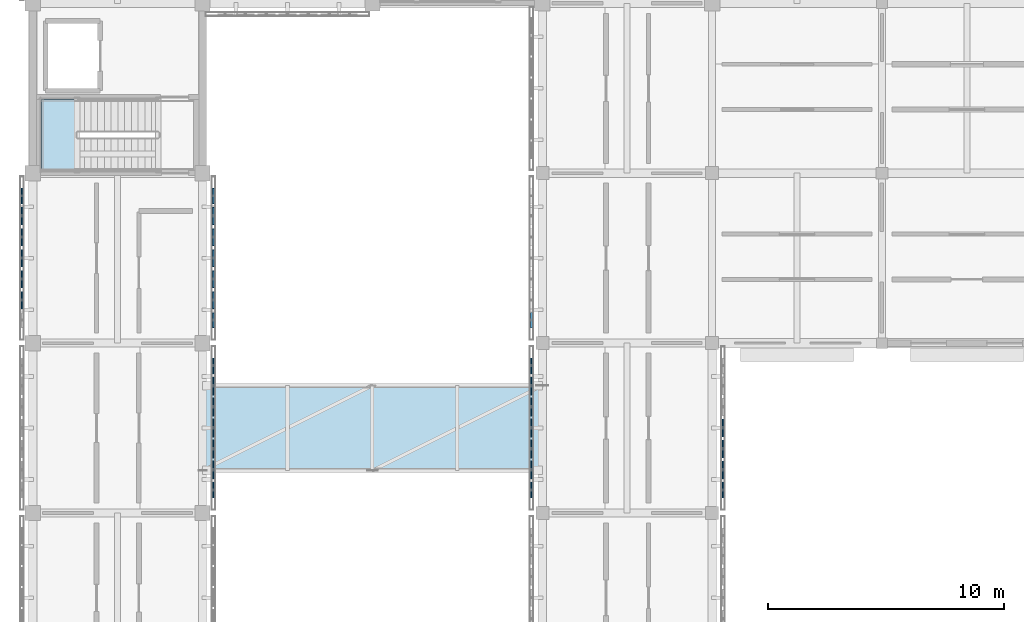
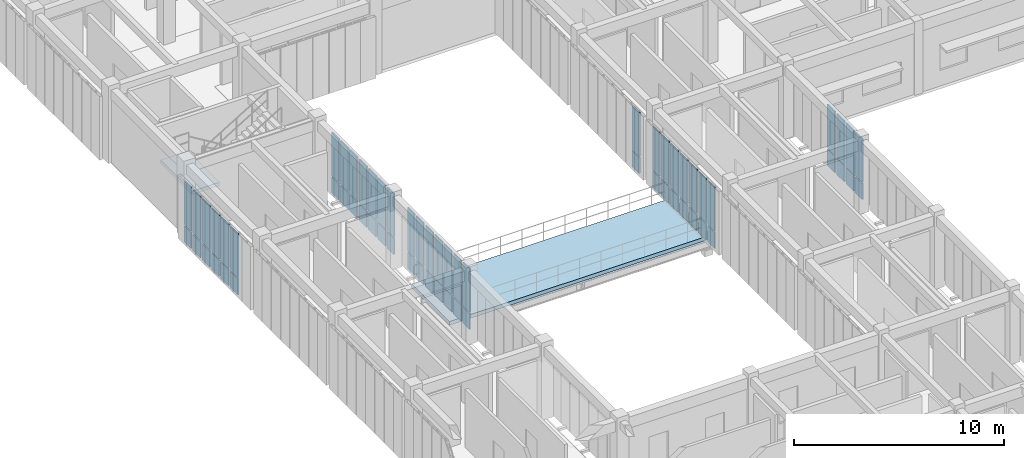
# One storey, part 51 of 91: 64 plates, 2 slabs, 7 elements without a shape of their own.
"""IFC4 building model written with IfcOpenShell, lengths in metres."""

from ifc_helpers import new_model, si_unit, direction, frame, origin, origin_2d, place, context, subcontext, project, spatial, polyline, rectangle, outline, extrude, material, layer, layer_set, type_object, element, aggregate, save


model = new_model("IFC4")

# Units and contexts
model_context = context("Model", 3, precision=1e-05, world=origin(), true_north=direction((0.0, 1.0)))
body_context = subcontext(model_context, "Body", "Model", "MODEL_VIEW")
ifc_project = project(units=[si_unit("LENGTHUNIT", "METRE"), si_unit("AREAUNIT", "SQUARE_METRE"), si_unit("VOLUMEUNIT", "CUBIC_METRE"), si_unit("PLANEANGLEUNIT", "RADIAN"), si_unit("MASSUNIT", "GRAM", prefix="KILO")], contexts=[model_context])

# Site, building, storey
site_placement = place(None, origin())
site = spatial("IfcSite", under=ifc_project, at=site_placement, CompositionType="ELEMENT")
building_placement = place(site_placement, origin())
building = spatial("IfcBuilding", under=site, at=building_placement, Name="Aldebral Square Health Centre", CompositionType="ELEMENT")
storey_placement = place(building_placement, frame((0.0, 0.0, 9.0)))
storey = spatial("IfcBuildingStorey", under=building, at=storey_placement, Name="L02", CompositionType="ELEMENT", Elevation=9.0)

# Curtain wall, plates
ifc_material_1 = material(Name="Aluminium and low-E solar glass", Category="aluminium")
curtain_wall_type = type_object("IfcCurtainWallType", Name="CW-FIN-SYS", PredefinedType="USERDEFINED", material=ifc_material_1)
curtain_wall_1_placement = place(storey_placement, origin())
curtain_wall_1 = element("IfcCurtainWall", 1, at=curtain_wall_1_placement, inside=storey, type_object=curtain_wall_type, Name="L02 V4 finned curtain wall L02-V4-00-11-E", ObjectType="SOLAR_CURTAIN_WALL", PredefinedType="USERDEFINED")
ifc_material_2 = material(Name="Solar-control low-E double glass", Category="glass")
ifc_layer_1 = layer(ifc_material_2, 0.06005859375, Name="Solar-control low-E double glass", Category="glass")
ifc_layer_set_1 = layer_set([ifc_layer_1], Name="Solar-control low-E double glass")
plate_type_1 = type_object("IfcPlateType", Name="CWP-GLZ-5", PredefinedType="CURTAIN_PANEL", material=ifc_layer_set_1)
plate_1_placement = place(storey_placement, frame((7.659912109375, 80.165771484375, 0.074951171875), z_axis=(0.0, 0.0, 1.0), x_axis=(0.0, 1.0, 0.0)))
plate_1 = element("IfcPlate", 2, at=plate_1_placement, type_object=plate_type_1, Name="CW1 panel 1.1", PredefinedType="CURTAIN_PANEL", context=body_context, shape_type="SweptSolid", body=[
    extrude(rectangle(XDim=0.6513671875, YDim=0.06005859375, at=origin_2d()), origin(), (0.0, 0.0, 1.0), 0.9375),
])
plate_2_placement = place(storey_placement, frame((7.659912109375, 80.165771484375, 1.08740234375), z_axis=(0.0, 0.0, 1.0), x_axis=(0.0, 1.0, 0.0)))
plate_2 = element("IfcPlate", 3, at=plate_2_placement, type_object=plate_type_1, Name="CW1 panel 1.2", PredefinedType="CURTAIN_PANEL", context=body_context, shape_type="SweptSolid", body=[
    extrude(rectangle(XDim=0.6513671875, YDim=0.06005859375, at=origin_2d()), origin(), (0.0, 0.0, 1.0), 2.527587890625),
])
plate_3_placement = place(storey_placement, frame((7.659912109375, 81.01708984375, 0.074951171875), z_axis=(0.0, 0.0, 1.0), x_axis=(0.0, 1.0, 0.0)))
plate_3 = element("IfcPlate", 4, at=plate_3_placement, type_object=plate_type_1, Name="CW1 panel 2.1", PredefinedType="CURTAIN_PANEL", context=body_context, shape_type="SweptSolid", body=[
    extrude(rectangle(XDim=0.7314453125, YDim=0.06005859375, at=origin_2d()), origin(), (0.0, 0.0, 1.0), 0.9375),
])
plate_4_placement = place(storey_placement, frame((7.659912109375, 81.01708984375, 1.08740234375), z_axis=(0.0, 0.0, 1.0), x_axis=(0.0, 1.0, 0.0)))
plate_4 = element("IfcPlate", 5, at=plate_4_placement, type_object=plate_type_1, Name="CW1 panel 2.2", PredefinedType="CURTAIN_PANEL", context=body_context, shape_type="SweptSolid", body=[
    extrude(rectangle(XDim=0.7314453125, YDim=0.06005859375, at=origin_2d()), origin(), (0.0, 0.0, 1.0), 2.527587890625),
])
plate_5_placement = place(storey_placement, frame((7.659912109375, 81.90869140625, 0.074951171875), z_axis=(0.0, 0.0, 1.0), x_axis=(0.0, 1.0, 0.0)))
plate_5 = element("IfcPlate", 6, at=plate_5_placement, type_object=plate_type_1, Name="CW1 panel 3.1", PredefinedType="CURTAIN_PANEL", context=body_context, shape_type="SweptSolid", body=[
    extrude(rectangle(XDim=0.7314453125, YDim=0.06005859375, at=origin_2d()), origin(), (0.0, 0.0, 1.0), 0.9375),
])
plate_6_placement = place(storey_placement, frame((7.659912109375, 81.90869140625, 1.08740234375), z_axis=(0.0, 0.0, 1.0), x_axis=(0.0, 1.0, 0.0)))
plate_6 = element("IfcPlate", 7, at=plate_6_placement, type_object=plate_type_1, Name="CW1 panel 3.2", PredefinedType="CURTAIN_PANEL", context=body_context, shape_type="SweptSolid", body=[
    extrude(rectangle(XDim=0.7314453125, YDim=0.06005859375, at=origin_2d()), origin(), (0.0, 0.0, 1.0), 2.527587890625),
])
plate_7_placement = place(storey_placement, frame((7.659912109375, 82.800048828125, 0.074951171875), z_axis=(0.0, 0.0, 1.0), x_axis=(0.0, 1.0, 0.0)))
plate_7 = element("IfcPlate", 8, at=plate_7_placement, type_object=plate_type_1, Name="CW1 panel 4.1", PredefinedType="CURTAIN_PANEL", context=body_context, shape_type="SweptSolid", body=[
    extrude(rectangle(XDim=0.7314453125, YDim=0.06005859375, at=origin_2d()), origin(), (0.0, 0.0, 1.0), 0.9375),
])
plate_8_placement = place(storey_placement, frame((7.659912109375, 82.800048828125, 1.08740234375), z_axis=(0.0, 0.0, 1.0), x_axis=(0.0, 1.0, 0.0)))
plate_8 = element("IfcPlate", 9, at=plate_8_placement, type_object=plate_type_1, Name="CW1 panel 4.2", PredefinedType="CURTAIN_PANEL", context=body_context, shape_type="SweptSolid", body=[
    extrude(rectangle(XDim=0.7314453125, YDim=0.06005859375, at=origin_2d()), origin(), (0.0, 0.0, 1.0), 2.527587890625),
])
plate_9_placement = place(storey_placement, frame((7.659912109375, 83.69140625, 0.074951171875), z_axis=(0.0, 0.0, 1.0), x_axis=(0.0, 1.0, 0.0)))
plate_9 = element("IfcPlate", 10, at=plate_9_placement, type_object=plate_type_1, Name="CW1 panel 5.1", PredefinedType="CURTAIN_PANEL", context=body_context, shape_type="SweptSolid", body=[
    extrude(rectangle(XDim=0.7314453125, YDim=0.06005859375, at=origin_2d()), origin(), (0.0, 0.0, 1.0), 0.9375),
])
plate_10_placement = place(storey_placement, frame((7.659912109375, 83.69140625, 1.08740234375), z_axis=(0.0, 0.0, 1.0), x_axis=(0.0, 1.0, 0.0)))
plate_10 = element("IfcPlate", 11, at=plate_10_placement, type_object=plate_type_1, Name="CW1 panel 5.2", PredefinedType="CURTAIN_PANEL", context=body_context, shape_type="SweptSolid", body=[
    extrude(rectangle(XDim=0.7314453125, YDim=0.06005859375, at=origin_2d()), origin(), (0.0, 0.0, 1.0), 2.527587890625),
])
plate_11_placement = place(storey_placement, frame((7.659912109375, 84.582763671875, 0.074951171875), z_axis=(0.0, 0.0, 1.0), x_axis=(0.0, 1.0, 0.0)))
plate_11 = element("IfcPlate", 12, at=plate_11_placement, type_object=plate_type_1, Name="CW1 panel 6.1", PredefinedType="CURTAIN_PANEL", context=body_context, shape_type="SweptSolid", body=[
    extrude(rectangle(XDim=0.7314453125, YDim=0.06005859375, at=origin_2d()), origin(), (0.0, 0.0, 1.0), 0.9375),
])
plate_12_placement = place(storey_placement, frame((7.659912109375, 84.582763671875, 1.08740234375), z_axis=(0.0, 0.0, 1.0), x_axis=(0.0, 1.0, 0.0)))
plate_12 = element("IfcPlate", 13, at=plate_12_placement, type_object=plate_type_1, Name="CW1 panel 6.2", PredefinedType="CURTAIN_PANEL", context=body_context, shape_type="SweptSolid", body=[
    extrude(rectangle(XDim=0.7314453125, YDim=0.06005859375, at=origin_2d()), origin(), (0.0, 0.0, 1.0), 2.527587890625),
])
plate_13_placement = place(storey_placement, frame((7.659912109375, 85.434326171875, 0.074951171875), z_axis=(0.0, 0.0, 1.0), x_axis=(0.0, 1.0, 0.0)))
plate_13 = element("IfcPlate", 14, at=plate_13_placement, type_object=plate_type_1, Name="CW1 panel 7.1", PredefinedType="CURTAIN_PANEL", context=body_context, shape_type="SweptSolid", body=[
    extrude(rectangle(XDim=0.6513671875, YDim=0.06005859375, at=origin_2d()), origin(), (0.0, 0.0, 1.0), 0.9375),
])
plate_14_placement = place(storey_placement, frame((7.659912109375, 85.434326171875, 1.08740234375), z_axis=(0.0, 0.0, 1.0), x_axis=(0.0, 1.0, 0.0)))
plate_14 = element("IfcPlate", 15, at=plate_14_placement, type_object=plate_type_1, Name="CW1 panel 7.2", PredefinedType="CURTAIN_PANEL", context=body_context, shape_type="SweptSolid", body=[
    extrude(rectangle(XDim=0.6513671875, YDim=0.06005859375, at=origin_2d()), origin(), (0.0, 0.0, 1.0), 2.527587890625),
])
aggregate(curtain_wall_1, [plate_1, plate_2, plate_3, plate_4, plate_5, plate_6, plate_7, plate_8, plate_9, plate_10, plate_11, plate_12, plate_13, plate_14])

curtain_wall_2_placement = place(storey_placement, origin())
curtain_wall_2 = element("IfcCurtainWall", 16, at=curtain_wall_2_placement, inside=storey, type_object=curtain_wall_type, Name="L02 V4 finned curtain wall L02-V4-00-12-W", ObjectType="SOLAR_CURTAIN_WALL", PredefinedType="USERDEFINED")
ifc_layer_2 = layer(ifc_material_2, 0.070068359375, Name="Solar-control low-E double glass", Category="glass")
ifc_layer_set_2 = layer_set([ifc_layer_2], Name="Solar-control low-E double glass")
plate_type_2 = type_object("IfcPlateType", Name="CWP-GLZ-6", PredefinedType="CURTAIN_PANEL", material=ifc_layer_set_2)
plate_15_placement = place(storey_placement, frame((-0.4599609375, 92.63427734375, 0.074951171875), z_axis=(0.0, 0.0, 1.0), x_axis=(0.0, -1.0, 0.0)))
plate_15 = element("IfcPlate", 17, at=plate_15_placement, type_object=plate_type_2, Name="CW1 panel 1.1", PredefinedType="CURTAIN_PANEL", context=body_context, shape_type="SweptSolid", body=[
    extrude(rectangle(XDim=0.6513671875, YDim=0.070068359375, at=origin_2d()), origin(), (0.0, 0.0, 1.0), 0.9375),
])
plate_16_placement = place(storey_placement, frame((-0.4599609375, 92.63427734375, 1.08740234375), z_axis=(0.0, 0.0, 1.0), x_axis=(0.0, -1.0, 0.0)))
plate_16 = element("IfcPlate", 18, at=plate_16_placement, type_object=plate_type_2, Name="CW1 panel 1.2", PredefinedType="CURTAIN_PANEL", context=body_context, shape_type="SweptSolid", body=[
    extrude(rectangle(XDim=0.6513671875, YDim=0.070068359375, at=origin_2d()), origin(), (0.0, 0.0, 1.0), 2.527587890625),
])
plate_17_placement = place(storey_placement, frame((-0.4599609375, 91.782958984375, 0.074951171875), z_axis=(0.0, 0.0, 1.0), x_axis=(0.0, -1.0, 0.0)))
plate_17 = element("IfcPlate", 19, at=plate_17_placement, type_object=plate_type_2, Name="CW1 panel 2.1", PredefinedType="CURTAIN_PANEL", context=body_context, shape_type="SweptSolid", body=[
    extrude(rectangle(XDim=0.7314453125, YDim=0.070068359375, at=origin_2d()), origin(), (0.0, 0.0, 1.0), 0.9375),
])
plate_18_placement = place(storey_placement, frame((-0.4599609375, 91.782958984375, 1.08740234375), z_axis=(0.0, 0.0, 1.0), x_axis=(0.0, -1.0, 0.0)))
plate_18 = element("IfcPlate", 20, at=plate_18_placement, type_object=plate_type_2, Name="CW1 panel 2.2", PredefinedType="CURTAIN_PANEL", context=body_context, shape_type="SweptSolid", body=[
    extrude(rectangle(XDim=0.7314453125, YDim=0.070068359375, at=origin_2d()), origin(), (0.0, 0.0, 1.0), 2.527587890625),
])
plate_19_placement = place(storey_placement, frame((-0.4599609375, 90.891357421875, 0.074951171875), z_axis=(0.0, 0.0, 1.0), x_axis=(0.0, -1.0, 0.0)))
plate_19 = element("IfcPlate", 21, at=plate_19_placement, type_object=plate_type_2, Name="CW1 panel 3.1", PredefinedType="CURTAIN_PANEL", context=body_context, shape_type="SweptSolid", body=[
    extrude(rectangle(XDim=0.7314453125, YDim=0.070068359375, at=origin_2d()), origin(), (0.0, 0.0, 1.0), 0.9375),
])
plate_20_placement = place(storey_placement, frame((-0.4599609375, 90.891357421875, 1.08740234375), z_axis=(0.0, 0.0, 1.0), x_axis=(0.0, -1.0, 0.0)))
plate_20 = element("IfcPlate", 22, at=plate_20_placement, type_object=plate_type_2, Name="CW1 panel 3.2", PredefinedType="CURTAIN_PANEL", context=body_context, shape_type="SweptSolid", body=[
    extrude(rectangle(XDim=0.7314453125, YDim=0.070068359375, at=origin_2d()), origin(), (0.0, 0.0, 1.0), 2.527587890625),
])
plate_21_placement = place(storey_placement, frame((-0.4599609375, 90.0, 0.074951171875), z_axis=(0.0, 0.0, 1.0), x_axis=(0.0, -1.0, 0.0)))
plate_21 = element("IfcPlate", 23, at=plate_21_placement, type_object=plate_type_2, Name="CW1 panel 4.1", PredefinedType="CURTAIN_PANEL", context=body_context, shape_type="SweptSolid", body=[
    extrude(rectangle(XDim=0.7314453125, YDim=0.070068359375, at=origin_2d()), origin(), (0.0, 0.0, 1.0), 0.9375),
])
plate_22_placement = place(storey_placement, frame((-0.4599609375, 90.0, 1.08740234375), z_axis=(0.0, 0.0, 1.0), x_axis=(0.0, -1.0, 0.0)))
plate_22 = element("IfcPlate", 24, at=plate_22_placement, type_object=plate_type_2, Name="CW1 panel 4.2", PredefinedType="CURTAIN_PANEL", context=body_context, shape_type="SweptSolid", body=[
    extrude(rectangle(XDim=0.7314453125, YDim=0.070068359375, at=origin_2d()), origin(), (0.0, 0.0, 1.0), 2.527587890625),
])
plate_23_placement = place(storey_placement, frame((-0.4599609375, 89.108642578125, 0.074951171875), z_axis=(0.0, 0.0, 1.0), x_axis=(0.0, -1.0, 0.0)))
plate_23 = element("IfcPlate", 25, at=plate_23_placement, type_object=plate_type_2, Name="CW1 panel 5.1", PredefinedType="CURTAIN_PANEL", context=body_context, shape_type="SweptSolid", body=[
    extrude(rectangle(XDim=0.7314453125, YDim=0.070068359375, at=origin_2d()), origin(), (0.0, 0.0, 1.0), 0.9375),
])
plate_24_placement = place(storey_placement, frame((-0.4599609375, 89.108642578125, 1.08740234375), z_axis=(0.0, 0.0, 1.0), x_axis=(0.0, -1.0, 0.0)))
plate_24 = element("IfcPlate", 26, at=plate_24_placement, type_object=plate_type_2, Name="CW1 panel 5.2", PredefinedType="CURTAIN_PANEL", context=body_context, shape_type="SweptSolid", body=[
    extrude(rectangle(XDim=0.7314453125, YDim=0.070068359375, at=origin_2d()), origin(), (0.0, 0.0, 1.0), 2.527587890625),
])
plate_25_placement = place(storey_placement, frame((-0.4599609375, 88.217041015625, 0.074951171875), z_axis=(0.0, 0.0, 1.0), x_axis=(0.0, -1.0, 0.0)))
plate_25 = element("IfcPlate", 27, at=plate_25_placement, type_object=plate_type_2, Name="CW1 panel 6.1", PredefinedType="CURTAIN_PANEL", context=body_context, shape_type="SweptSolid", body=[
    extrude(rectangle(XDim=0.7314453125, YDim=0.070068359375, at=origin_2d()), origin(), (0.0, 0.0, 1.0), 0.9375),
])
plate_26_placement = place(storey_placement, frame((-0.4599609375, 88.217041015625, 1.08740234375), z_axis=(0.0, 0.0, 1.0), x_axis=(0.0, -1.0, 0.0)))
plate_26 = element("IfcPlate", 28, at=plate_26_placement, type_object=plate_type_2, Name="CW1 panel 6.2", PredefinedType="CURTAIN_PANEL", context=body_context, shape_type="SweptSolid", body=[
    extrude(rectangle(XDim=0.7314453125, YDim=0.070068359375, at=origin_2d()), origin(), (0.0, 0.0, 1.0), 2.527587890625),
])
aggregate(curtain_wall_2, [plate_15, plate_16, plate_17, plate_18, plate_19, plate_20, plate_21, plate_22, plate_23, plate_24, plate_25, plate_26])

curtain_wall_3_placement = place(storey_placement, origin())
curtain_wall_3 = element("IfcCurtainWall", 29, at=curtain_wall_3_placement, inside=storey, type_object=curtain_wall_type, Name="L02 V4 finned curtain wall L02-V4-03-11-W", ObjectType="SOLAR_CURTAIN_WALL", PredefinedType="USERDEFINED")
plate_27_placement = place(storey_placement, frame((21.139892578125, 85.434326171875, 0.074951171875), z_axis=(0.0, 0.0, 1.0), x_axis=(0.0, -1.0, 0.0)))
plate_27 = element("IfcPlate", 30, at=plate_27_placement, type_object=plate_type_2, Name="CW1 panel 1.1", PredefinedType="CURTAIN_PANEL", context=body_context, shape_type="SweptSolid", body=[
    extrude(rectangle(XDim=0.6513671875, YDim=0.070068359375, at=origin_2d()), origin(), (0.0, 0.0, 1.0), 0.9375),
])
plate_28_placement = place(storey_placement, frame((21.139892578125, 85.434326171875, 1.08740234375), z_axis=(0.0, 0.0, 1.0), x_axis=(0.0, -1.0, 0.0)))
plate_28 = element("IfcPlate", 31, at=plate_28_placement, type_object=plate_type_2, Name="CW1 panel 1.2", PredefinedType="CURTAIN_PANEL", context=body_context, shape_type="SweptSolid", body=[
    extrude(rectangle(XDim=0.6513671875, YDim=0.070068359375, at=origin_2d()), origin(), (0.0, 0.0, 1.0), 2.527587890625),
])
plate_29_placement = place(storey_placement, frame((21.139892578125, 84.582763671875, 0.074951171875), z_axis=(0.0, 0.0, 1.0), x_axis=(0.0, -1.0, 0.0)))
plate_29 = element("IfcPlate", 32, at=plate_29_placement, type_object=plate_type_2, Name="CW1 panel 2.1", PredefinedType="CURTAIN_PANEL", context=body_context, shape_type="SweptSolid", body=[
    extrude(rectangle(XDim=0.7314453125, YDim=0.070068359375, at=origin_2d()), origin(), (0.0, 0.0, 1.0), 0.9375),
])
plate_30_placement = place(storey_placement, frame((21.139892578125, 84.582763671875, 1.08740234375), z_axis=(0.0, 0.0, 1.0), x_axis=(0.0, -1.0, 0.0)))
plate_30 = element("IfcPlate", 33, at=plate_30_placement, type_object=plate_type_2, Name="CW1 panel 2.2", PredefinedType="CURTAIN_PANEL", context=body_context, shape_type="SweptSolid", body=[
    extrude(rectangle(XDim=0.7314453125, YDim=0.070068359375, at=origin_2d()), origin(), (0.0, 0.0, 1.0), 2.527587890625),
])
plate_31_placement = place(storey_placement, frame((21.139892578125, 83.69140625, 0.074951171875), z_axis=(0.0, 0.0, 1.0), x_axis=(0.0, -1.0, 0.0)))
plate_31 = element("IfcPlate", 34, at=plate_31_placement, type_object=plate_type_2, Name="CW1 panel 3.1", PredefinedType="CURTAIN_PANEL", context=body_context, shape_type="SweptSolid", body=[
    extrude(rectangle(XDim=0.7314453125, YDim=0.070068359375, at=origin_2d()), origin(), (0.0, 0.0, 1.0), 0.9375),
])
plate_32_placement = place(storey_placement, frame((21.139892578125, 83.69140625, 1.08740234375), z_axis=(0.0, 0.0, 1.0), x_axis=(0.0, -1.0, 0.0)))
plate_32 = element("IfcPlate", 35, at=plate_32_placement, type_object=plate_type_2, Name="CW1 panel 3.2", PredefinedType="CURTAIN_PANEL", context=body_context, shape_type="SweptSolid", body=[
    extrude(rectangle(XDim=0.7314453125, YDim=0.070068359375, at=origin_2d()), origin(), (0.0, 0.0, 1.0), 2.527587890625),
])
plate_33_placement = place(storey_placement, frame((21.139892578125, 82.800048828125, 0.074951171875), z_axis=(0.0, 0.0, 1.0), x_axis=(0.0, -1.0, 0.0)))
plate_33 = element("IfcPlate", 36, at=plate_33_placement, type_object=plate_type_2, Name="CW1 panel 4.1", PredefinedType="CURTAIN_PANEL", context=body_context, shape_type="SweptSolid", body=[
    extrude(rectangle(XDim=0.7314453125, YDim=0.070068359375, at=origin_2d()), origin(), (0.0, 0.0, 1.0), 0.9375),
])
plate_34_placement = place(storey_placement, frame((21.139892578125, 82.800048828125, 1.08740234375), z_axis=(0.0, 0.0, 1.0), x_axis=(0.0, -1.0, 0.0)))
plate_34 = element("IfcPlate", 37, at=plate_34_placement, type_object=plate_type_2, Name="CW1 panel 4.2", PredefinedType="CURTAIN_PANEL", context=body_context, shape_type="SweptSolid", body=[
    extrude(rectangle(XDim=0.7314453125, YDim=0.070068359375, at=origin_2d()), origin(), (0.0, 0.0, 1.0), 2.527587890625),
])
plate_35_placement = place(storey_placement, frame((21.139892578125, 81.90869140625, 0.074951171875), z_axis=(0.0, 0.0, 1.0), x_axis=(0.0, -1.0, 0.0)))
plate_35 = element("IfcPlate", 38, at=plate_35_placement, type_object=plate_type_2, Name="CW1 panel 5.1", PredefinedType="CURTAIN_PANEL", context=body_context, shape_type="SweptSolid", body=[
    extrude(rectangle(XDim=0.7314453125, YDim=0.070068359375, at=origin_2d()), origin(), (0.0, 0.0, 1.0), 0.9375),
])
plate_36_placement = place(storey_placement, frame((21.139892578125, 81.90869140625, 1.08740234375), z_axis=(0.0, 0.0, 1.0), x_axis=(0.0, -1.0, 0.0)))
plate_36 = element("IfcPlate", 39, at=plate_36_placement, type_object=plate_type_2, Name="CW1 panel 5.2", PredefinedType="CURTAIN_PANEL", context=body_context, shape_type="SweptSolid", body=[
    extrude(rectangle(XDim=0.7314453125, YDim=0.070068359375, at=origin_2d()), origin(), (0.0, 0.0, 1.0), 2.527587890625),
])
plate_37_placement = place(storey_placement, frame((21.139892578125, 81.01708984375, 0.074951171875), z_axis=(0.0, 0.0, 1.0), x_axis=(0.0, -1.0, 0.0)))
plate_37 = element("IfcPlate", 40, at=plate_37_placement, type_object=plate_type_2, Name="CW1 panel 6.1", PredefinedType="CURTAIN_PANEL", context=body_context, shape_type="SweptSolid", body=[
    extrude(rectangle(XDim=0.7314453125, YDim=0.070068359375, at=origin_2d()), origin(), (0.0, 0.0, 1.0), 0.9375),
])
plate_38_placement = place(storey_placement, frame((21.139892578125, 81.01708984375, 1.08740234375), z_axis=(0.0, 0.0, 1.0), x_axis=(0.0, -1.0, 0.0)))
plate_38 = element("IfcPlate", 41, at=plate_38_placement, type_object=plate_type_2, Name="CW1 panel 6.2", PredefinedType="CURTAIN_PANEL", context=body_context, shape_type="SweptSolid", body=[
    extrude(rectangle(XDim=0.7314453125, YDim=0.070068359375, at=origin_2d()), origin(), (0.0, 0.0, 1.0), 2.527587890625),
])
plate_39_placement = place(storey_placement, frame((21.139892578125, 80.165771484375, 0.074951171875), z_axis=(0.0, 0.0, 1.0), x_axis=(0.0, -1.0, 0.0)))
plate_39 = element("IfcPlate", 42, at=plate_39_placement, type_object=plate_type_2, Name="CW1 panel 7.1", PredefinedType="CURTAIN_PANEL", context=body_context, shape_type="SweptSolid", body=[
    extrude(rectangle(XDim=0.6513671875, YDim=0.070068359375, at=origin_2d()), origin(), (0.0, 0.0, 1.0), 0.9375),
])
plate_40_placement = place(storey_placement, frame((21.139892578125, 80.165771484375, 1.08740234375), z_axis=(0.0, 0.0, 1.0), x_axis=(0.0, -1.0, 0.0)))
plate_40 = element("IfcPlate", 43, at=plate_40_placement, type_object=plate_type_2, Name="CW1 panel 7.2", PredefinedType="CURTAIN_PANEL", context=body_context, shape_type="SweptSolid", body=[
    extrude(rectangle(XDim=0.6513671875, YDim=0.070068359375, at=origin_2d()), origin(), (0.0, 0.0, 1.0), 2.527587890625),
])
aggregate(curtain_wall_3, [plate_27, plate_28, plate_29, plate_30, plate_31, plate_32, plate_33, plate_34, plate_35, plate_36, plate_37, plate_38, plate_39, plate_40])

curtain_wall_4_placement = place(storey_placement, origin())
curtain_wall_4 = element("IfcCurtainWall", 44, at=curtain_wall_4_placement, inside=storey, type_object=curtain_wall_type, Name="L02 V4 finned curtain wall L02-V4-00-12-E", ObjectType="SOLAR_CURTAIN_WALL", PredefinedType="USERDEFINED")
ifc_layer_3 = layer(ifc_material_2, 0.080078125, Name="Solar-control low-E double glass", Category="glass")
ifc_layer_set_3 = layer_set([ifc_layer_3], Name="Solar-control low-E double glass")
plate_type_3 = type_object("IfcPlateType", Name="CWP-GLZ-7", PredefinedType="CURTAIN_PANEL", material=ifc_layer_set_3)
plate_41_placement = place(storey_placement, frame((7.659912109375, 87.36572265625, 0.074951171875), z_axis=(0.0, 0.0, 1.0), x_axis=(0.0, 1.0, 0.0)))
plate_41 = element("IfcPlate", 45, at=plate_41_placement, type_object=plate_type_3, Name="CW1 panel 1.1", PredefinedType="CURTAIN_PANEL", context=body_context, shape_type="SweptSolid", body=[
    extrude(rectangle(XDim=0.6513671875, YDim=0.080078125, at=origin_2d()), origin(), (0.0, 0.0, 1.0), 0.9375),
])
plate_42_placement = place(storey_placement, frame((7.659912109375, 87.36572265625, 1.08740234375), z_axis=(0.0, 0.0, 1.0), x_axis=(0.0, 1.0, 0.0)))
plate_42 = element("IfcPlate", 46, at=plate_42_placement, type_object=plate_type_3, Name="CW1 panel 1.2", PredefinedType="CURTAIN_PANEL", context=body_context, shape_type="SweptSolid", body=[
    extrude(rectangle(XDim=0.6513671875, YDim=0.080078125, at=origin_2d()), origin(), (0.0, 0.0, 1.0), 2.527587890625),
])
plate_43_placement = place(storey_placement, frame((7.659912109375, 88.217041015625, 0.074951171875), z_axis=(0.0, 0.0, 1.0), x_axis=(0.0, 1.0, 0.0)))
plate_43 = element("IfcPlate", 47, at=plate_43_placement, type_object=plate_type_3, Name="CW1 panel 2.1", PredefinedType="CURTAIN_PANEL", context=body_context, shape_type="SweptSolid", body=[
    extrude(rectangle(XDim=0.7314453125, YDim=0.080078125, at=origin_2d()), origin(), (0.0, 0.0, 1.0), 0.9375),
])
plate_44_placement = place(storey_placement, frame((7.659912109375, 88.217041015625, 1.08740234375), z_axis=(0.0, 0.0, 1.0), x_axis=(0.0, 1.0, 0.0)))
plate_44 = element("IfcPlate", 48, at=plate_44_placement, type_object=plate_type_3, Name="CW1 panel 2.2", PredefinedType="CURTAIN_PANEL", context=body_context, shape_type="SweptSolid", body=[
    extrude(rectangle(XDim=0.7314453125, YDim=0.080078125, at=origin_2d()), origin(), (0.0, 0.0, 1.0), 2.527587890625),
])
plate_45_placement = place(storey_placement, frame((7.659912109375, 89.108642578125, 0.074951171875), z_axis=(0.0, 0.0, 1.0), x_axis=(0.0, 1.0, 0.0)))
plate_45 = element("IfcPlate", 49, at=plate_45_placement, type_object=plate_type_3, Name="CW1 panel 3.1", PredefinedType="CURTAIN_PANEL", context=body_context, shape_type="SweptSolid", body=[
    extrude(rectangle(XDim=0.7314453125, YDim=0.080078125, at=origin_2d()), origin(), (0.0, 0.0, 1.0), 0.9375),
])
plate_46_placement = place(storey_placement, frame((7.659912109375, 89.108642578125, 1.08740234375), z_axis=(0.0, 0.0, 1.0), x_axis=(0.0, 1.0, 0.0)))
plate_46 = element("IfcPlate", 50, at=plate_46_placement, type_object=plate_type_3, Name="CW1 panel 3.2", PredefinedType="CURTAIN_PANEL", context=body_context, shape_type="SweptSolid", body=[
    extrude(rectangle(XDim=0.7314453125, YDim=0.080078125, at=origin_2d()), origin(), (0.0, 0.0, 1.0), 2.527587890625),
])
plate_47_placement = place(storey_placement, frame((7.659912109375, 90.0, 0.074951171875), z_axis=(0.0, 0.0, 1.0), x_axis=(0.0, 1.0, 0.0)))
plate_47 = element("IfcPlate", 51, at=plate_47_placement, type_object=plate_type_3, Name="CW1 panel 4.1", PredefinedType="CURTAIN_PANEL", context=body_context, shape_type="SweptSolid", body=[
    extrude(rectangle(XDim=0.7314453125, YDim=0.080078125, at=origin_2d()), origin(), (0.0, 0.0, 1.0), 0.9375),
])
plate_48_placement = place(storey_placement, frame((7.659912109375, 90.0, 1.08740234375), z_axis=(0.0, 0.0, 1.0), x_axis=(0.0, 1.0, 0.0)))
plate_48 = element("IfcPlate", 52, at=plate_48_placement, type_object=plate_type_3, Name="CW1 panel 4.2", PredefinedType="CURTAIN_PANEL", context=body_context, shape_type="SweptSolid", body=[
    extrude(rectangle(XDim=0.7314453125, YDim=0.080078125, at=origin_2d()), origin(), (0.0, 0.0, 1.0), 2.527587890625),
])
plate_49_placement = place(storey_placement, frame((7.659912109375, 90.891357421875, 0.074951171875), z_axis=(0.0, 0.0, 1.0), x_axis=(0.0, 1.0, 0.0)))
plate_49 = element("IfcPlate", 53, at=plate_49_placement, type_object=plate_type_3, Name="CW1 panel 5.1", PredefinedType="CURTAIN_PANEL", context=body_context, shape_type="SweptSolid", body=[
    extrude(rectangle(XDim=0.7314453125, YDim=0.080078125, at=origin_2d()), origin(), (0.0, 0.0, 1.0), 0.9375),
])
plate_50_placement = place(storey_placement, frame((7.659912109375, 90.891357421875, 1.08740234375), z_axis=(0.0, 0.0, 1.0), x_axis=(0.0, 1.0, 0.0)))
plate_50 = element("IfcPlate", 54, at=plate_50_placement, type_object=plate_type_3, Name="CW1 panel 5.2", PredefinedType="CURTAIN_PANEL", context=body_context, shape_type="SweptSolid", body=[
    extrude(rectangle(XDim=0.7314453125, YDim=0.080078125, at=origin_2d()), origin(), (0.0, 0.0, 1.0), 2.527587890625),
])
plate_51_placement = place(storey_placement, frame((7.659912109375, 91.782958984375, 0.074951171875), z_axis=(0.0, 0.0, 1.0), x_axis=(0.0, 1.0, 0.0)))
plate_51 = element("IfcPlate", 55, at=plate_51_placement, type_object=plate_type_3, Name="CW1 panel 6.1", PredefinedType="CURTAIN_PANEL", context=body_context, shape_type="SweptSolid", body=[
    extrude(rectangle(XDim=0.7314453125, YDim=0.080078125, at=origin_2d()), origin(), (0.0, 0.0, 1.0), 0.9375),
])
plate_52_placement = place(storey_placement, frame((7.659912109375, 91.782958984375, 1.08740234375), z_axis=(0.0, 0.0, 1.0), x_axis=(0.0, 1.0, 0.0)))
plate_52 = element("IfcPlate", 56, at=plate_52_placement, type_object=plate_type_3, Name="CW1 panel 6.2", PredefinedType="CURTAIN_PANEL", context=body_context, shape_type="SweptSolid", body=[
    extrude(rectangle(XDim=0.7314453125, YDim=0.080078125, at=origin_2d()), origin(), (0.0, 0.0, 1.0), 2.527587890625),
])
plate_53_placement = place(storey_placement, frame((7.659912109375, 92.63427734375, 0.074951171875), z_axis=(0.0, 0.0, 1.0), x_axis=(0.0, 1.0, 0.0)))
plate_53 = element("IfcPlate", 57, at=plate_53_placement, type_object=plate_type_3, Name="CW1 panel 7.1", PredefinedType="CURTAIN_PANEL", context=body_context, shape_type="SweptSolid", body=[
    extrude(rectangle(XDim=0.6513671875, YDim=0.080078125, at=origin_2d()), origin(), (0.0, 0.0, 1.0), 0.9375),
])
plate_54_placement = place(storey_placement, frame((7.659912109375, 92.63427734375, 1.08740234375), z_axis=(0.0, 0.0, 1.0), x_axis=(0.0, 1.0, 0.0)))
plate_54 = element("IfcPlate", 58, at=plate_54_placement, type_object=plate_type_3, Name="CW1 panel 7.2", PredefinedType="CURTAIN_PANEL", context=body_context, shape_type="SweptSolid", body=[
    extrude(rectangle(XDim=0.6513671875, YDim=0.080078125, at=origin_2d()), origin(), (0.0, 0.0, 1.0), 2.527587890625),
])
aggregate(curtain_wall_4, [plate_41, plate_42, plate_43, plate_44, plate_45, plate_46, plate_47, plate_48, plate_49, plate_50, plate_51, plate_52, plate_53, plate_54])

curtain_wall_5_placement = place(storey_placement, origin())
curtain_wall_5 = element("IfcCurtainWall", 59, at=curtain_wall_5_placement, inside=storey, type_object=curtain_wall_type, Name="L02 V4 finned curtain wall L02-V4-03-11-E", ObjectType="SOLAR_CURTAIN_WALL", PredefinedType="USERDEFINED")
plate_55_placement = place(storey_placement, frame((29.260009765625, 80.165771484375, 0.074951171875), z_axis=(0.0, 0.0, 1.0), x_axis=(0.0, 1.0, 0.0)))
plate_55 = element("IfcPlate", 60, at=plate_55_placement, type_object=plate_type_3, Name="CW1 panel 1.1", PredefinedType="CURTAIN_PANEL", context=body_context, shape_type="SweptSolid", body=[
    extrude(rectangle(XDim=0.6513671875, YDim=0.080078125, at=origin_2d()), origin(), (0.0, 0.0, 1.0), 0.9375),
])
plate_56_placement = place(storey_placement, frame((29.260009765625, 80.165771484375, 1.08740234375), z_axis=(0.0, 0.0, 1.0), x_axis=(0.0, 1.0, 0.0)))
plate_56 = element("IfcPlate", 61, at=plate_56_placement, type_object=plate_type_3, Name="CW1 panel 1.2", PredefinedType="CURTAIN_PANEL", context=body_context, shape_type="SweptSolid", body=[
    extrude(rectangle(XDim=0.6513671875, YDim=0.080078125, at=origin_2d()), origin(), (0.0, 0.0, 1.0), 2.527587890625),
])
plate_57_placement = place(storey_placement, frame((29.260009765625, 81.01708984375, 0.074951171875), z_axis=(0.0, 0.0, 1.0), x_axis=(0.0, 1.0, 0.0)))
plate_57 = element("IfcPlate", 62, at=plate_57_placement, type_object=plate_type_3, Name="CW1 panel 2.1", PredefinedType="CURTAIN_PANEL", context=body_context, shape_type="SweptSolid", body=[
    extrude(rectangle(XDim=0.7314453125, YDim=0.080078125, at=origin_2d()), origin(), (0.0, 0.0, 1.0), 0.9375),
])
plate_58_placement = place(storey_placement, frame((29.260009765625, 81.01708984375, 1.08740234375), z_axis=(0.0, 0.0, 1.0), x_axis=(0.0, 1.0, 0.0)))
plate_58 = element("IfcPlate", 63, at=plate_58_placement, type_object=plate_type_3, Name="CW1 panel 2.2", PredefinedType="CURTAIN_PANEL", context=body_context, shape_type="SweptSolid", body=[
    extrude(rectangle(XDim=0.7314453125, YDim=0.080078125, at=origin_2d()), origin(), (0.0, 0.0, 1.0), 2.527587890625),
])
plate_59_placement = place(storey_placement, frame((29.260009765625, 81.90869140625, 0.074951171875), z_axis=(0.0, 0.0, 1.0), x_axis=(0.0, 1.0, 0.0)))
plate_59 = element("IfcPlate", 64, at=plate_59_placement, type_object=plate_type_3, Name="CW1 panel 3.1", PredefinedType="CURTAIN_PANEL", context=body_context, shape_type="SweptSolid", body=[
    extrude(rectangle(XDim=0.7314453125, YDim=0.080078125, at=origin_2d()), origin(), (0.0, 0.0, 1.0), 0.9375),
])
plate_60_placement = place(storey_placement, frame((29.260009765625, 81.90869140625, 1.08740234375), z_axis=(0.0, 0.0, 1.0), x_axis=(0.0, 1.0, 0.0)))
plate_60 = element("IfcPlate", 65, at=plate_60_placement, type_object=plate_type_3, Name="CW1 panel 3.2", PredefinedType="CURTAIN_PANEL", context=body_context, shape_type="SweptSolid", body=[
    extrude(rectangle(XDim=0.7314453125, YDim=0.080078125, at=origin_2d()), origin(), (0.0, 0.0, 1.0), 2.527587890625),
])
plate_61_placement = place(storey_placement, frame((29.260009765625, 82.800048828125, 0.074951171875), z_axis=(0.0, 0.0, 1.0), x_axis=(0.0, 1.0, 0.0)))
plate_61 = element("IfcPlate", 66, at=plate_61_placement, type_object=plate_type_3, Name="CW1 panel 4.1", PredefinedType="CURTAIN_PANEL", context=body_context, shape_type="SweptSolid", body=[
    extrude(rectangle(XDim=0.7314453125, YDim=0.080078125, at=origin_2d()), origin(), (0.0, 0.0, 1.0), 0.9375),
])
plate_62_placement = place(storey_placement, frame((29.260009765625, 82.800048828125, 1.08740234375), z_axis=(0.0, 0.0, 1.0), x_axis=(0.0, 1.0, 0.0)))
plate_62 = element("IfcPlate", 67, at=plate_62_placement, type_object=plate_type_3, Name="CW1 panel 4.2", PredefinedType="CURTAIN_PANEL", context=body_context, shape_type="SweptSolid", body=[
    extrude(rectangle(XDim=0.7314453125, YDim=0.080078125, at=origin_2d()), origin(), (0.0, 0.0, 1.0), 2.527587890625),
])
aggregate(curtain_wall_5, [plate_55, plate_56, plate_57, plate_58, plate_59, plate_60, plate_61, plate_62])

curtain_wall_6_placement = place(storey_placement, origin())
curtain_wall_6 = element("IfcCurtainWall", 68, at=curtain_wall_6_placement, inside=storey, type_object=curtain_wall_type, Name="L02 V4 finned curtain wall L02-V4-03-12-W", ObjectType="SOLAR_CURTAIN_WALL", PredefinedType="USERDEFINED")
ifc_layer_4 = layer(ifc_material_2, 0.090087890625, Name="Solar-control low-E double glass", Category="glass")
ifc_layer_set_4 = layer_set([ifc_layer_4], Name="Solar-control low-E double glass")
plate_type_4 = type_object("IfcPlateType", Name="CWP-GLZ-8", PredefinedType="CURTAIN_PANEL", material=ifc_layer_set_4)
plate_63_placement = place(storey_placement, frame((21.139892578125, 87.36572265625, 0.074951171875), z_axis=(0.0, 0.0, 1.0), x_axis=(0.0, -1.0, 0.0)))
plate_63 = element("IfcPlate", 69, at=plate_63_placement, type_object=plate_type_4, Name="CW1 panel 7.1", PredefinedType="CURTAIN_PANEL", context=body_context, shape_type="SweptSolid", body=[
    extrude(rectangle(XDim=0.6513671875, YDim=0.090087890625, at=origin_2d()), origin(), (0.0, 0.0, 1.0), 0.9375),
])
plate_64_placement = place(storey_placement, frame((21.139892578125, 87.36572265625, 1.08740234375), z_axis=(0.0, 0.0, 1.0), x_axis=(0.0, -1.0, 0.0)))
plate_64 = element("IfcPlate", 70, at=plate_64_placement, type_object=plate_type_4, Name="CW1 panel 7.2", PredefinedType="CURTAIN_PANEL", context=body_context, shape_type="SweptSolid", body=[
    extrude(rectangle(XDim=0.6513671875, YDim=0.090087890625, at=origin_2d()), origin(), (0.0, 0.0, 1.0), 2.527587890625),
])
aggregate(curtain_wall_6, [plate_63, plate_64])

# Slab
ifc_material_3 = material(Name="Concrete C35/45", Category="concrete")
ifc_layer_5 = layer(ifc_material_3, 0.219970703125, Name="Concrete C35/45", Category="concrete")
ifc_layer_set_5 = layer_set([ifc_layer_5], Name="Concrete C35/45")
slab_type_1 = type_object("IfcSlabType", Name="SL-BRG-220", PredefinedType="FLOOR", material=ifc_layer_set_5)
slab_1_placement = place(storey_placement, frame((0.0, 0.0, -0.219970703125)))
element("IfcSlab", 71, at=slab_1_placement, inside=storey, type_object=slab_type_1, Name="West Light Court Bridge L02 deck slab", PredefinedType="FLOOR", context=body_context, shape_type="SweptSolid", body=[
    extrude(outline(polyline([(7.199951171875, 81.0), (21.60009765625, 81.0), (21.60009765625, 84.60009765625), (7.199951171875, 84.60009765625), (7.199951171875, 81.0)])), origin(), (0.0, 0.0, 1.0), 0.219970703125),
])

# Stair, slab
stair_type = type_object("IfcStairType", Name="ST-DOG-140", PredefinedType="HALF_TURN_STAIR", material=ifc_material_3)
stair_placement = place(storey_placement, origin())
stair = element("IfcStair", 72, at=stair_placement, inside=storey, type_object=stair_type, Name="L02 ST-01", PredefinedType="HALF_TURN_STAIR")
ifc_layer_6 = layer(ifc_material_3, 0.199951171875, Name="Concrete C35/45", Category="concrete")
ifc_layer_set_6 = layer_set([ifc_layer_6], Name="Concrete C35/45")
slab_type_2 = type_object("IfcSlabType", Name="SL-LND-200", PredefinedType="LANDING", material=ifc_layer_set_6)
slab_2_placement = place(storey_placement, frame((0.0, 0.0, 2.050048828125)))
slab_2 = element("IfcSlab", 73, at=slab_2_placement, type_object=slab_type_2, Name="ST-01 landing 1", PredefinedType="LANDING", context=body_context, shape_type="SweptSolid", body=[
    extrude(outline(polyline([(1.89990234375, 96.719970703125), (0.3798828125, 96.719970703125), (0.3798828125, 93.719970703125), (1.89990234375, 93.719970703125), (1.89990234375, 96.719970703125)])), origin(), (0.0, 0.0, 1.0), 0.199951171875),
])
aggregate(stair, [slab_2])

save(model, "model.ifc")
